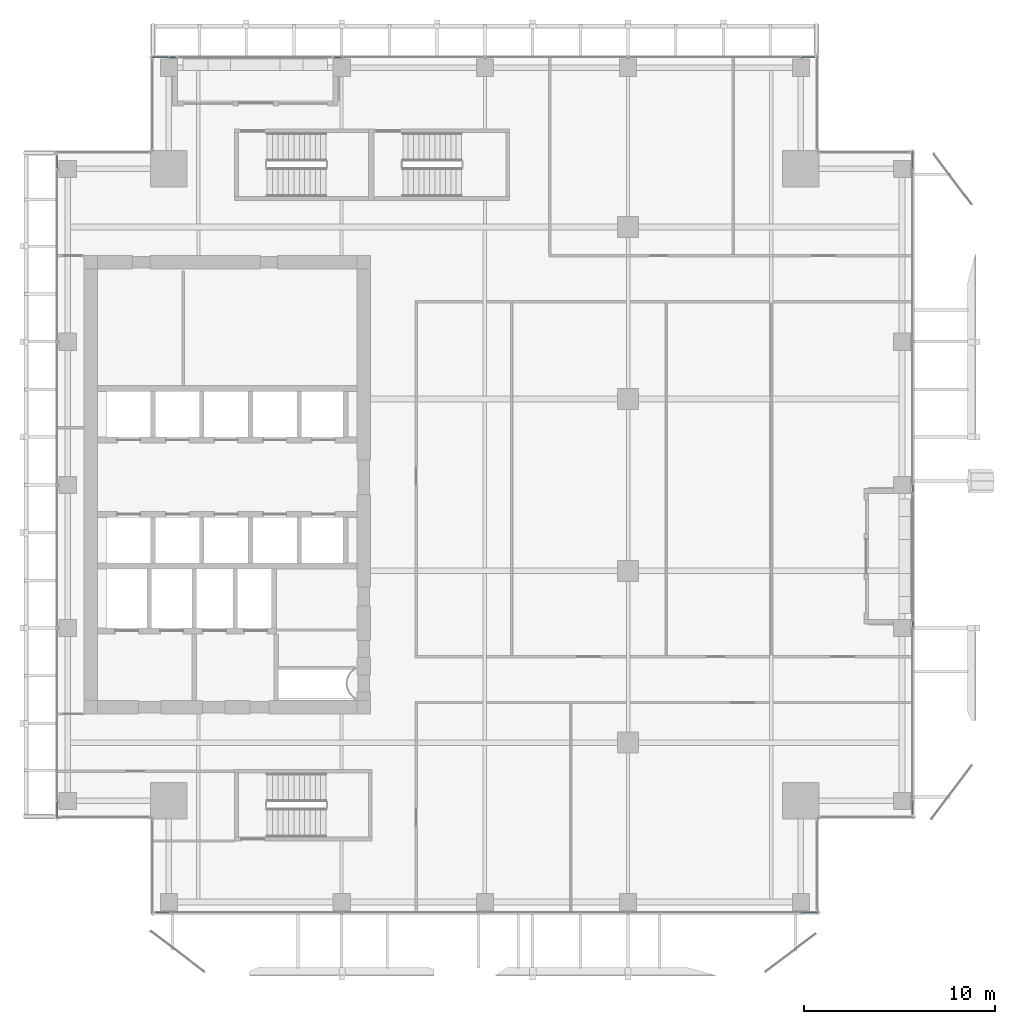
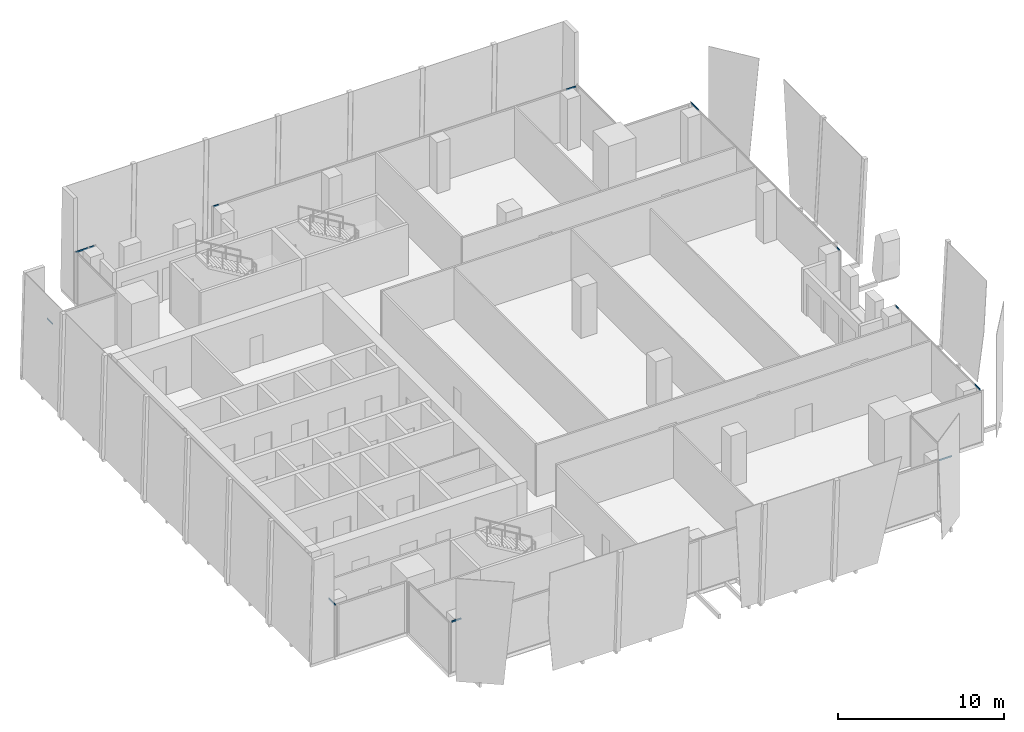
# One storey, part 22 of 35: 12 members, 6 elements without a shape of their own.
"""IFC4 building model written with IfcOpenShell, lengths in metres."""

from ifc_helpers import new_model, si_unit, direction, frame, origin, origin_2d, place, context, subcontext, project, spatial, hollow_rectangle, extrude, source, transform, mapped, material, material_profile, profile_set, type_object, element, aggregate, save


model = new_model("IFC4")

# Units and contexts
model_context = context("Model", 3, precision=1e-05, world=origin(), true_north=direction((0.0, 1.0)))
body_context = subcontext(model_context, "Body", "Model", "MODEL_VIEW")
ifc_project = project(units=[si_unit("LENGTHUNIT", "METRE"), si_unit("AREAUNIT", "SQUARE_METRE"), si_unit("VOLUMEUNIT", "CUBIC_METRE"), si_unit("PLANEANGLEUNIT", "RADIAN"), si_unit("MASSUNIT", "GRAM", prefix="KILO")], contexts=[model_context])

# Site, building, storey
site_placement = place(None, origin())
site = spatial("IfcSite", under=ifc_project, at=site_placement, CompositionType="ELEMENT")
building_placement = place(site_placement, origin())
building = spatial("IfcBuilding", under=site, at=building_placement, Name="Khomas Fold Tower", CompositionType="ELEMENT")
storey_placement = place(building_placement, frame((0.0, 0.0, 258.199951171875)))
storey = spatial("IfcBuildingStorey", under=building, at=storey_placement, Name="L58", CompositionType="ELEMENT", Elevation=258.199951171875)

# Curtain wall, member
ifc_material_1 = material(Name="Aluminium framed double glazing", Category="aluminium")
curtain_wall_type = type_object("IfcCurtainWallType", Name="SK-Unitised clear-glass wall, office floors CW2", PredefinedType="NOTDEFINED", material=ifc_material_1)
curtain_wall_1_placement = place(storey_placement, origin())
curtain_wall_1 = element("IfcCurtainWall", 1, at=curtain_wall_1_placement, inside=storey, type_object=curtain_wall_type, Name="CW2 run L58 00-0", PredefinedType="NOTDEFINED")
ifc_material_2 = material(Name="Aluminium", Category="aluminium")
ifc_material_profile = material_profile(ifc_material_2, hollow_rectangle(XDim=0.050048828125, YDim=0.110107421875, WallThickness=0.00390625, at=origin_2d()), Name="SK-Unitised clear-glass wall, office floors transom CW2-T")
ifc_profile_set = profile_set([ifc_material_profile], Name="Aluminium")
member_type = type_object("IfcMemberType", Name="SK-Unitised clear-glass wall, office floors transom CW2-T", PredefinedType="USERDEFINED", material=ifc_profile_set)
shared_shape_1 = source(origin(), body_context, "Body", "SweptSolid", [
    extrude(hollow_rectangle(XDim=0.050048828125, YDim=0.110107421875, WallThickness=0.00390625, at=origin_2d()), origin(), (0.0, 0.0, 1.0), 0.659912109375),
])
member_1_placement = place(storey_placement, frame((9.760009765625, 4.60009765625, 3.695068359375), z_axis=(1.0, 0.0, 0.0), x_axis=(0.0, 1.0, 0.0)))
member_1 = element("IfcMember", 2, at=member_1_placement, type_object=member_type, Name="CW2 transom 1", ObjectType="TRANSOM", PredefinedType="USERDEFINED", context=body_context, shape_type="MappedRepresentation", body=[
    mapped(shared_shape_1, transform((0.0, 0.0, 0.0))),
])

curtain_wall_2_placement = place(storey_placement, origin())
curtain_wall_2 = element("IfcCurtainWall", 3, at=curtain_wall_2_placement, inside=storey, type_object=curtain_wall_type, Name="CW2 run L58 03-0", PredefinedType="NOTDEFINED")
member_2_placement = place(storey_placement, frame((49.39990234375, 9.760009765625, 3.695068359375), z_axis=(0.0, 1.0, 0.0), x_axis=(-1.0, 0.0, 0.0)))
member_2 = element("IfcMember", 4, at=member_2_placement, type_object=member_type, Name="CW2 transom 1", ObjectType="TRANSOM", PredefinedType="USERDEFINED", context=body_context, shape_type="MappedRepresentation", body=[
    mapped(shared_shape_1, transform((0.0, 0.0, 0.0))),
])

curtain_wall_3_placement = place(storey_placement, origin())
curtain_wall_3 = element("IfcCurtainWall", 5, at=curtain_wall_3_placement, inside=storey, type_object=curtain_wall_type, Name="CW2 run L58 06-0", PredefinedType="NOTDEFINED")
member_3_placement = place(storey_placement, frame((44.239990234375, 49.39990234375, 3.695068359375), z_axis=(-1.0, 0.0, 0.0), x_axis=(0.0, -1.0, 0.0)))
member_3 = element("IfcMember", 6, at=member_3_placement, type_object=member_type, Name="CW2 transom 1", ObjectType="TRANSOM", PredefinedType="USERDEFINED", context=body_context, shape_type="MappedRepresentation", body=[
    mapped(shared_shape_1, transform((0.0, 0.0, 0.0))),
])

curtain_wall_4_placement = place(storey_placement, origin())
curtain_wall_4 = element("IfcCurtainWall", 7, at=curtain_wall_4_placement, inside=storey, type_object=curtain_wall_type, Name="CW2 run L58 09-0", PredefinedType="NOTDEFINED")
member_4_placement = place(storey_placement, frame((4.60009765625, 44.239990234375, 3.695068359375), z_axis=(0.0, -1.0, 0.0), x_axis=(1.0, 0.0, 0.0)))
member_4 = element("IfcMember", 8, at=member_4_placement, type_object=member_type, Name="CW2 transom 1", ObjectType="TRANSOM", PredefinedType="USERDEFINED", context=body_context, shape_type="MappedRepresentation", body=[
    mapped(shared_shape_1, transform((0.0, 0.0, 0.0))),
])

# Member
shared_shape_2 = source(origin(), body_context, "Body", "SweptSolid", [
    extrude(hollow_rectangle(XDim=0.050048828125, YDim=0.110107421875, WallThickness=0.00390625, at=origin_2d()), origin(), (0.0, 0.0, 1.0), 0.85986328125),
])
member_5_placement = place(storey_placement, frame((43.580078125, 4.60009765625, 3.695068359375), z_axis=(1.0, 0.0, 0.0), x_axis=(0.0, 1.0, 0.0)))
member_5 = element("IfcMember", 9, at=member_5_placement, type_object=member_type, Name="CW2 transom 6", ObjectType="TRANSOM", PredefinedType="USERDEFINED", context=body_context, shape_type="MappedRepresentation", body=[
    mapped(shared_shape_2, transform((0.0, 0.0, 0.0))),
])

aggregate(curtain_wall_1, [member_1, member_5])

# Curtain wall, member
curtain_wall_5_placement = place(storey_placement, origin())
curtain_wall_5 = element("IfcCurtainWall", 10, at=curtain_wall_5_placement, inside=storey, type_object=curtain_wall_type, Name="CW2 run L58 03-1", PredefinedType="NOTDEFINED")
member_6_placement = place(storey_placement, frame((49.39990234375, 43.580078125, 3.695068359375), z_axis=(0.0, 1.0, 0.0), x_axis=(-1.0, 0.0, 0.0)))
member_6 = element("IfcMember", 11, at=member_6_placement, type_object=member_type, Name="CW2 transom 4", ObjectType="TRANSOM", PredefinedType="USERDEFINED", context=body_context, shape_type="MappedRepresentation", body=[
    mapped(shared_shape_2, transform((0.0, 0.0, 0.0))),
])

curtain_wall_6_placement = place(storey_placement, origin())
curtain_wall_6 = element("IfcCurtainWall", 12, at=curtain_wall_6_placement, inside=storey, type_object=curtain_wall_type, Name="CW2 run L58 06-1", PredefinedType="NOTDEFINED")
member_7_placement = place(storey_placement, frame((10.419921875, 49.39990234375, 3.695068359375), z_axis=(-1.0, 0.0, 0.0), x_axis=(0.0, -1.0, 0.0)))
member_7 = element("IfcMember", 13, at=member_7_placement, type_object=member_type, Name="CW2 transom 2", ObjectType="TRANSOM", PredefinedType="USERDEFINED", context=body_context, shape_type="MappedRepresentation", body=[
    mapped(shared_shape_2, transform((0.0, 0.0, 0.0))),
])

# Member
member_8_placement = place(storey_placement, frame((4.60009765625, 10.419921875, 3.695068359375), z_axis=(0.0, -1.0, 0.0), x_axis=(1.0, 0.0, 0.0)))
member_8 = element("IfcMember", 14, at=member_8_placement, type_object=member_type, Name="CW2 transom 6", ObjectType="TRANSOM", PredefinedType="USERDEFINED", context=body_context, shape_type="MappedRepresentation", body=[
    mapped(shared_shape_2, transform((0.0, 0.0, 0.0))),
])

aggregate(curtain_wall_4, [member_4, member_8])

shared_shape_3 = source(origin(), body_context, "Body", "SweptSolid", [
    extrude(hollow_rectangle(XDim=0.050048828125, YDim=0.110107421875, WallThickness=0.00390625, at=origin_2d()), origin(), (0.0, 0.0, 1.0), 0.35986328125),
])
member_9_placement = place(storey_placement, frame((49.39990234375, 19.530029296875, 3.695068359375), z_axis=(0.0, 1.0, 0.0), x_axis=(-1.0, 0.0, 0.0)))
member_9 = element("IfcMember", 15, at=member_9_placement, type_object=member_type, Name="CW2 transom 3", ObjectType="TRANSOM", PredefinedType="USERDEFINED", context=body_context, shape_type="MappedRepresentation", body=[
    mapped(shared_shape_3, transform((0.0, 0.0, 0.0))),
])

aggregate(curtain_wall_2, [member_2, member_9])

member_10_placement = place(storey_placement, frame((49.39990234375, 26.610107421875, 3.695068359375), z_axis=(0.0, 1.0, 0.0), x_axis=(-1.0, 0.0, 0.0)))
member_10 = element("IfcMember", 16, at=member_10_placement, type_object=member_type, Name="CW2 transom 1", ObjectType="TRANSOM", PredefinedType="USERDEFINED", context=body_context, shape_type="MappedRepresentation", body=[
    mapped(shared_shape_3, transform((0.0, 0.0, 0.0))),
])

aggregate(curtain_wall_5, [member_10, member_6])

member_11_placement = place(storey_placement, frame((19.469970703125, 49.39990234375, 3.695068359375), z_axis=(-1.0, 0.0, 0.0), x_axis=(0.0, -1.0, 0.0)))
member_11 = element("IfcMember", 17, at=member_11_placement, type_object=member_type, Name="CW2 transom 5", ObjectType="TRANSOM", PredefinedType="USERDEFINED", context=body_context, shape_type="MappedRepresentation", body=[
    mapped(shared_shape_3, transform((0.0, 0.0, 0.0))),
])

aggregate(curtain_wall_3, [member_3, member_11])

shared_shape_4 = source(origin(), body_context, "Body", "SweptSolid", [
    extrude(hollow_rectangle(XDim=0.050048828125, YDim=0.110107421875, WallThickness=0.00390625, at=origin_2d()), origin(), (0.0, 0.0, 1.0), 0.360107421875),
])
member_12_placement = place(storey_placement, frame((10.840087890625, 49.39990234375, 3.695068359375), z_axis=(-1.0, 0.0, 0.0), x_axis=(0.0, -1.0, 0.0)))
member_12 = element("IfcMember", 18, at=member_12_placement, type_object=member_type, Name="CW2 transom 1", ObjectType="TRANSOM", PredefinedType="USERDEFINED", context=body_context, shape_type="MappedRepresentation", body=[
    mapped(shared_shape_4, transform((0.0, 0.0, 0.0))),
])

aggregate(curtain_wall_6, [member_12, member_7])

save(model, "model.ifc")
